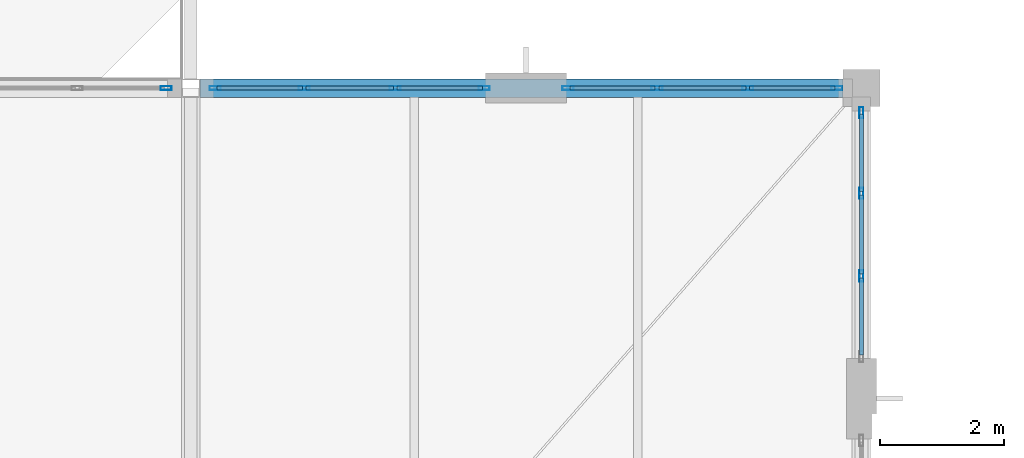
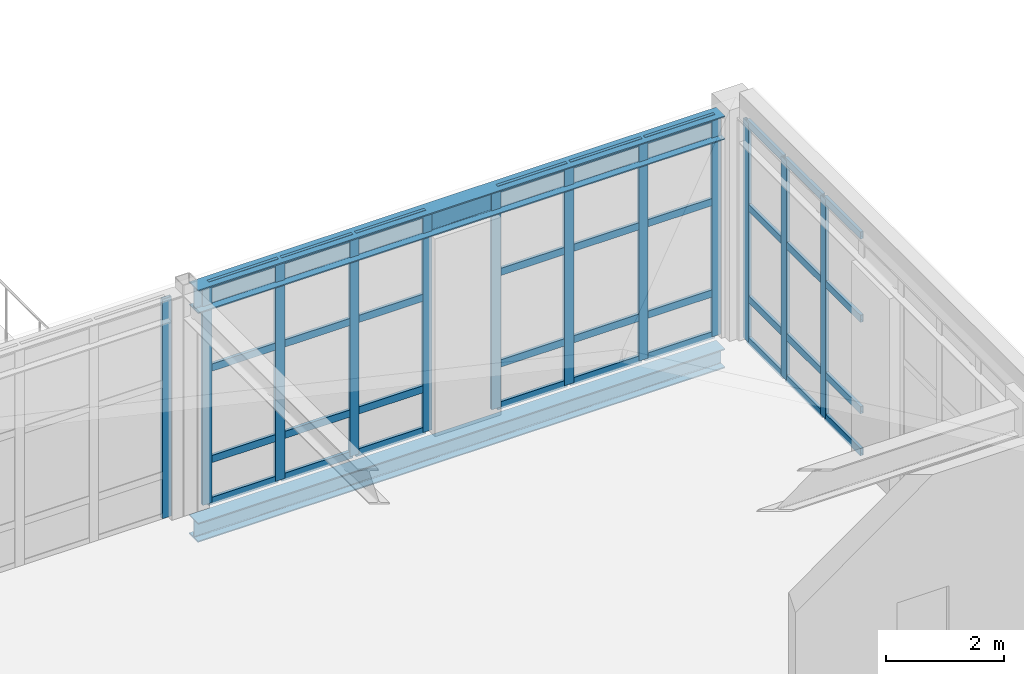
# One storey, part 44 of 86: 48 members, 2 beams, 4 elements without a shape of their own.
"""IFC4 building model written with IfcOpenShell, lengths in metres."""

from ifc_helpers import new_model, si_unit, direction, frame, origin, origin_2d, place, context, subcontext, project, spatial, hollow_rectangle, i_section, extrude, material, layer, layer_set, material_profile, profile_set, type_object, element, aggregate, save


model = new_model("IFC4")

# Units and contexts
model_context = context("Model", 3, precision=1e-05, world=origin(), true_north=direction((0.0, 1.0)))
body_context = subcontext(model_context, "Body", "Model", "MODEL_VIEW")
ifc_project = project(units=[si_unit("LENGTHUNIT", "METRE"), si_unit("AREAUNIT", "SQUARE_METRE"), si_unit("VOLUMEUNIT", "CUBIC_METRE"), si_unit("PLANEANGLEUNIT", "RADIAN"), si_unit("MASSUNIT", "GRAM", prefix="KILO")], contexts=[model_context])

# Site, building, storey
site_placement = place(None, origin())
site = spatial("IfcSite", under=ifc_project, at=site_placement, CompositionType="ELEMENT")
building_placement = place(site_placement, origin())
building = spatial("IfcBuilding", under=site, at=building_placement, Name="Tasgan Crest Museum", CompositionType="ELEMENT")
storey_placement = place(building_placement, frame((0.0, 0.0, 24.0)))
storey = spatial("IfcBuildingStorey", under=building, at=storey_placement, Name="L04", CompositionType="ELEMENT", Elevation=24.0)

# Beams
ifc_material_1 = material(Name="Steel S355J2", Category="steel")
ifc_material_profile_1 = material_profile(ifc_material_1, i_section(OverallWidth=0.300048828125, OverallDepth=0.489990234375, WebThickness=0.011962890625, FlangeThickness=0.02294921875, FilletRadius=0.027099609375, at=origin_2d()), Name="HEA 500")
ifc_profile_set_1 = profile_set([ifc_material_profile_1], Name="Steel S355J2")
beam_type_1 = type_object("IfcBeamType", Name="BM-G-HEA500", PredefinedType="BEAM", material=ifc_profile_set_1)
beam_1_placement = place(storey_placement, frame((97.345947265625, 82.0, 4.35498046875), z_axis=(1.0, 0.0, 0.0), x_axis=(0.0, 1.0, 0.0)))
element("IfcBeam", 1, at=beam_1_placement, inside=storey, type_object=beam_type_1, Name="Winter-garden roof girder J 97.2-108.0", PredefinedType="BEAM", context=body_context, shape_type="SweptSolid", body=[
    extrude(i_section(OverallWidth=0.300048828125, OverallDepth=0.489990234375, WebThickness=0.011962890625, FlangeThickness=0.02294921875, FilletRadius=0.027099609375, at=origin_2d()), origin(), (0.0, 0.0, 1.0), 10.358154296875),
])
ifc_material_2 = material(Name="Steel S355J2", Category="steel")
ifc_material_profile_2 = material_profile(ifc_material_2, i_section(OverallWidth=0.300048828125, OverallDepth=0.39990234375, WebThickness=0.013427734375, FlangeThickness=0.02392578125, FilletRadius=0.027099609375, at=origin_2d()), Name="HEB 400")
ifc_profile_set_2 = profile_set([ifc_material_profile_2], Name="Steel S355J2")
beam_type_2 = type_object("IfcBeamType", Name="BM-G-HEB400", PredefinedType="BEAM", material=ifc_profile_set_2)
beam_2_placement = place(storey_placement, frame((97.345947265625, 82.0, -0.43994140625), z_axis=(1.0, 0.0, 0.0), x_axis=(0.0, 1.0, 0.0)))
element("IfcBeam", 2, at=beam_2_placement, inside=storey, type_object=beam_type_2, Name="Girder L04 J 97.2-108.0", PredefinedType="BEAM", context=body_context, shape_type="SweptSolid", body=[
    extrude(i_section(OverallWidth=0.300048828125, OverallDepth=0.39990234375, WebThickness=0.013427734375, FlangeThickness=0.02392578125, FilletRadius=0.027099609375, at=origin_2d()), origin(), (0.0, 0.0, 1.0), 10.358154296875),
])

# Curtain wall, members
ifc_material_3 = material(Name="Triple-Glazed Aluminium Curtain Wall", Category="aluminium")
ifc_layer_1 = layer(ifc_material_3, 0.179931640625, Name="CW-DRUM-X-48")
ifc_layer_set_1 = layer_set([ifc_layer_1], Name="Triple-Glazed Aluminium Curtain Wall")
curtain_wall_type_1 = type_object("IfcCurtainWallType", Name="CW-DRUM-X-48", PredefinedType="NOTDEFINED", material=ifc_layer_set_1)
curtain_wall_1_placement = place(storey_placement, origin())
curtain_wall_1 = element("IfcCurtainWall", 3, at=curtain_wall_1_placement, inside=storey, type_object=curtain_wall_type_1, Name="Curtain wall L04 155", PredefinedType="NOTDEFINED")
ifc_material_4 = material(Name="Anodised Aluminium", Category="aluminium")
ifc_material_profile_3 = material_profile(ifc_material_4, hollow_rectangle(XDim=0.06494140625, YDim=0.179931640625, WallThickness=0.0048828125, at=origin_2d()), Name="ALU MULLION 180x65x5")
ifc_profile_set_3 = profile_set([ifc_material_profile_3], Name="Anodised Aluminium")
member_type_1 = type_object("IfcMemberType", Name="CW-MULLION-180", PredefinedType="MULLION", material=ifc_profile_set_3)
member_1_placement = place(storey_placement, frame((107.60498046875, 82.0, 0.0), z_axis=(0.0, 0.0, 1.0), x_axis=(0.0, -1.0, 0.0)))
member_1 = element("IfcMember", 4, at=member_1_placement, type_object=member_type_1, Name="CW03 mullion 1", PredefinedType="MULLION", context=body_context, shape_type="SweptSolid", body=[
    extrude(hollow_rectangle(XDim=0.06494140625, YDim=0.179931640625, WallThickness=0.0048828125, at=origin_2d()), origin(), (0.0, 0.0, 1.0), 4.56005859375),
])
member_2_placement = place(storey_placement, frame((106.171630859375, 82.0, 0.0), z_axis=(0.0, 0.0, 1.0), x_axis=(0.0, -1.0, 0.0)))
member_2 = element("IfcMember", 5, at=member_2_placement, type_object=member_type_1, Name="CW03 mullion 2", PredefinedType="MULLION", context=body_context, shape_type="SweptSolid", body=[
    extrude(hollow_rectangle(XDim=0.06494140625, YDim=0.179931640625, WallThickness=0.0048828125, at=origin_2d()), origin(), (0.0, 0.0, 1.0), 4.56005859375),
])
member_3_placement = place(storey_placement, frame((104.708251953125, 82.0, 0.0), z_axis=(0.0, 0.0, 1.0), x_axis=(0.0, -1.0, 0.0)))
member_3 = element("IfcMember", 6, at=member_3_placement, type_object=member_type_1, Name="CW03 mullion 3", PredefinedType="MULLION", context=body_context, shape_type="SweptSolid", body=[
    extrude(hollow_rectangle(XDim=0.06494140625, YDim=0.179931640625, WallThickness=0.0048828125, at=origin_2d()), origin(), (0.0, 0.0, 1.0), 4.56005859375),
])
member_4_placement = place(storey_placement, frame((103.27490234375, 82.0, 0.0), z_axis=(0.0, 0.0, 1.0), x_axis=(0.0, -1.0, 0.0)))
member_4 = element("IfcMember", 7, at=member_4_placement, type_object=member_type_1, Name="CW03 mullion 4", PredefinedType="MULLION", context=body_context, shape_type="SweptSolid", body=[
    extrude(hollow_rectangle(XDim=0.06494140625, YDim=0.179931640625, WallThickness=0.0048828125, at=origin_2d()), origin(), (0.0, 0.0, 1.0), 4.56005859375),
])

curtain_wall_2_placement = place(storey_placement, origin())
curtain_wall_2 = element("IfcCurtainWall", 8, at=curtain_wall_2_placement, inside=storey, type_object=curtain_wall_type_1, Name="Curtain wall L04 156", PredefinedType="NOTDEFINED")
member_5_placement = place(storey_placement, frame((101.925048828125, 82.0, 0.0), z_axis=(0.0, 0.0, 1.0), x_axis=(0.0, -1.0, 0.0)))
member_5 = element("IfcMember", 9, at=member_5_placement, type_object=member_type_1, Name="CW03 mullion 1", PredefinedType="MULLION", context=body_context, shape_type="SweptSolid", body=[
    extrude(hollow_rectangle(XDim=0.06494140625, YDim=0.179931640625, WallThickness=0.0048828125, at=origin_2d()), origin(), (0.0, 0.0, 1.0), 4.56005859375),
])
member_6_placement = place(storey_placement, frame((100.49169921875, 82.0, 0.0), z_axis=(0.0, 0.0, 1.0), x_axis=(0.0, -1.0, 0.0)))
member_6 = element("IfcMember", 10, at=member_6_placement, type_object=member_type_1, Name="CW03 mullion 2", PredefinedType="MULLION", context=body_context, shape_type="SweptSolid", body=[
    extrude(hollow_rectangle(XDim=0.06494140625, YDim=0.179931640625, WallThickness=0.0048828125, at=origin_2d()), origin(), (0.0, 0.0, 1.0), 4.56005859375),
])
member_7_placement = place(storey_placement, frame((99.0283203125, 82.0, 0.0), z_axis=(0.0, 0.0, 1.0), x_axis=(0.0, -1.0, 0.0)))
member_7 = element("IfcMember", 11, at=member_7_placement, type_object=member_type_1, Name="CW03 mullion 3", PredefinedType="MULLION", context=body_context, shape_type="SweptSolid", body=[
    extrude(hollow_rectangle(XDim=0.06494140625, YDim=0.179931640625, WallThickness=0.0048828125, at=origin_2d()), origin(), (0.0, 0.0, 1.0), 4.56005859375),
])
member_8_placement = place(storey_placement, frame((97.594970703125, 82.0, 0.0), z_axis=(0.0, 0.0, 1.0), x_axis=(0.0, -1.0, 0.0)))
member_8 = element("IfcMember", 12, at=member_8_placement, type_object=member_type_1, Name="CW03 mullion 4", PredefinedType="MULLION", context=body_context, shape_type="SweptSolid", body=[
    extrude(hollow_rectangle(XDim=0.06494140625, YDim=0.179931640625, WallThickness=0.0048828125, at=origin_2d()), origin(), (0.0, 0.0, 1.0), 4.56005859375),
])

# Curtain wall, member
curtain_wall_3_placement = place(storey_placement, origin())
curtain_wall_3 = element("IfcCurtainWall", 13, at=curtain_wall_3_placement, inside=storey, type_object=curtain_wall_type_1, Name="Curtain wall L04 157", PredefinedType="NOTDEFINED")
member_9_placement = place(storey_placement, frame((96.804931640625, 82.0, 0.0), z_axis=(0.0, 0.0, 1.0), x_axis=(0.0, -1.0, 0.0)))
member_9 = element("IfcMember", 14, at=member_9_placement, type_object=member_type_1, Name="CW03 mullion 1", PredefinedType="MULLION", context=body_context, shape_type="SweptSolid", body=[
    extrude(hollow_rectangle(XDim=0.06494140625, YDim=0.179931640625, WallThickness=0.0048828125, at=origin_2d()), origin(), (0.0, 0.0, 1.0), 4.56005859375),
])
aggregate(curtain_wall_3, [member_9])

# Curtain wall, members
ifc_material_5 = material(Name="Triple-Glazed Aluminium Curtain Wall", Category="aluminium")
ifc_layer_2 = layer(ifc_material_5, 0.179931640625, Name="CW-DRUM-Y10-48")
ifc_layer_set_2 = layer_set([ifc_layer_2], Name="Triple-Glazed Aluminium Curtain Wall")
curtain_wall_type_2 = type_object("IfcCurtainWallType", Name="CW-DRUM-Y10-48", PredefinedType="NOTDEFINED", material=ifc_layer_set_2)
curtain_wall_4_placement = place(storey_placement, origin())
curtain_wall_4 = element("IfcCurtainWall", 15, at=curtain_wall_4_placement, inside=storey, type_object=curtain_wall_type_2, Name="Curtain wall L04 200", PredefinedType="NOTDEFINED")
member_10_placement = place(storey_placement, frame((108.0, 78.97509765625, 0.0), z_axis=(0.0, 0.0, 1.0), x_axis=(-1.0, 0.0, 0.0)))
member_10 = element("IfcMember", 16, at=member_10_placement, type_object=member_type_1, Name="CW04 mullion 2", PredefinedType="MULLION", context=body_context, shape_type="SweptSolid", body=[
    extrude(hollow_rectangle(XDim=0.06494140625, YDim=0.179931640625, WallThickness=0.0048828125, at=origin_2d()), origin(), (0.0, 0.0, 1.0), 4.56005859375),
])
member_11_placement = place(storey_placement, frame((108.0, 80.304931640625, 0.0), z_axis=(0.0, 0.0, 1.0), x_axis=(-1.0, 0.0, 0.0)))
member_11 = element("IfcMember", 17, at=member_11_placement, type_object=member_type_1, Name="CW04 mullion 3", PredefinedType="MULLION", context=body_context, shape_type="SweptSolid", body=[
    extrude(hollow_rectangle(XDim=0.06494140625, YDim=0.179931640625, WallThickness=0.0048828125, at=origin_2d()), origin(), (0.0, 0.0, 1.0), 4.56005859375),
])
member_12_placement = place(storey_placement, frame((108.0, 81.60498046875, 0.0), z_axis=(0.0, 0.0, 1.0), x_axis=(-1.0, 0.0, 0.0)))
member_12 = element("IfcMember", 18, at=member_12_placement, type_object=member_type_1, Name="CW04 mullion 4", PredefinedType="MULLION", context=body_context, shape_type="SweptSolid", body=[
    extrude(hollow_rectangle(XDim=0.06494140625, YDim=0.179931640625, WallThickness=0.0048828125, at=origin_2d()), origin(), (0.0, 0.0, 1.0), 4.56005859375),
])

# Member
ifc_material_6 = material(Name="Anodised Aluminium", Category="aluminium")
ifc_material_profile_4 = material_profile(ifc_material_6, hollow_rectangle(XDim=0.06005859375, YDim=0.14990234375, WallThickness=0.0048828125, at=origin_2d()), Name="ALU TRANSOM 150x60x5")
ifc_profile_set_4 = profile_set([ifc_material_profile_4], Name="Anodised Aluminium")
member_type_2 = type_object("IfcMemberType", Name="CW-TRANSOM-150", PredefinedType="USERDEFINED", material=ifc_profile_set_4)
member_13_placement = place(storey_placement, frame((107.574951171875, 82.0, 0.030029296875), z_axis=(-1.0, 0.0, 0.0), x_axis=(0.0, -1.0, 0.0)))
member_13 = element("IfcMember", 19, at=member_13_placement, type_object=member_type_2, Name="CW03 transom 1.1", ObjectType="TRANSOM", PredefinedType="USERDEFINED", context=body_context, shape_type="SweptSolid", body=[
    extrude(hollow_rectangle(XDim=0.06005859375, YDim=0.14990234375, WallThickness=0.0048828125, at=origin_2d()), origin(), (0.0, 0.0, 1.0), 1.373291015625),
])

member_14_placement = place(storey_placement, frame((107.574951171875, 82.0, 0.89990234375), z_axis=(-1.0, 0.0, 0.0), x_axis=(0.0, -1.0, 0.0)))
member_14 = element("IfcMember", 20, at=member_14_placement, type_object=member_type_2, Name="CW03 transom 1.2", ObjectType="TRANSOM", PredefinedType="USERDEFINED", context=body_context, shape_type="SweptSolid", body=[
    extrude(hollow_rectangle(XDim=0.06005859375, YDim=0.14990234375, WallThickness=0.0048828125, at=origin_2d()), origin(), (0.0, 0.0, 1.0), 1.373291015625),
])

member_15_placement = place(storey_placement, frame((107.574951171875, 82.0, 2.800048828125), z_axis=(-1.0, 0.0, 0.0), x_axis=(0.0, -1.0, 0.0)))
member_15 = element("IfcMember", 21, at=member_15_placement, type_object=member_type_2, Name="CW03 transom 1.3", ObjectType="TRANSOM", PredefinedType="USERDEFINED", context=body_context, shape_type="SweptSolid", body=[
    extrude(hollow_rectangle(XDim=0.06005859375, YDim=0.14990234375, WallThickness=0.0048828125, at=origin_2d()), origin(), (0.0, 0.0, 1.0), 1.373291015625),
])

member_16_placement = place(storey_placement, frame((107.574951171875, 82.0, 4.530029296875), z_axis=(-1.0, 0.0, 0.0), x_axis=(0.0, -1.0, 0.0)))
member_16 = element("IfcMember", 22, at=member_16_placement, type_object=member_type_2, Name="CW03 transom 1.4", ObjectType="TRANSOM", PredefinedType="USERDEFINED", context=body_context, shape_type="SweptSolid", body=[
    extrude(hollow_rectangle(XDim=0.06005859375, YDim=0.14990234375, WallThickness=0.0048828125, at=origin_2d()), origin(), (0.0, 0.0, 1.0), 1.373291015625),
])

member_17_placement = place(storey_placement, frame((106.1416015625, 82.0, 0.030029296875), z_axis=(-1.0, 0.0, 0.0), x_axis=(0.0, -1.0, 0.0)))
member_17 = element("IfcMember", 23, at=member_17_placement, type_object=member_type_2, Name="CW03 transom 2.1", ObjectType="TRANSOM", PredefinedType="USERDEFINED", context=body_context, shape_type="SweptSolid", body=[
    extrude(hollow_rectangle(XDim=0.06005859375, YDim=0.14990234375, WallThickness=0.0048828125, at=origin_2d()), origin(), (0.0, 0.0, 1.0), 1.4033203125),
])

member_18_placement = place(storey_placement, frame((106.1416015625, 82.0, 0.89990234375), z_axis=(-1.0, 0.0, 0.0), x_axis=(0.0, -1.0, 0.0)))
member_18 = element("IfcMember", 24, at=member_18_placement, type_object=member_type_2, Name="CW03 transom 2.2", ObjectType="TRANSOM", PredefinedType="USERDEFINED", context=body_context, shape_type="SweptSolid", body=[
    extrude(hollow_rectangle(XDim=0.06005859375, YDim=0.14990234375, WallThickness=0.0048828125, at=origin_2d()), origin(), (0.0, 0.0, 1.0), 1.4033203125),
])

member_19_placement = place(storey_placement, frame((106.1416015625, 82.0, 2.800048828125), z_axis=(-1.0, 0.0, 0.0), x_axis=(0.0, -1.0, 0.0)))
member_19 = element("IfcMember", 25, at=member_19_placement, type_object=member_type_2, Name="CW03 transom 2.3", ObjectType="TRANSOM", PredefinedType="USERDEFINED", context=body_context, shape_type="SweptSolid", body=[
    extrude(hollow_rectangle(XDim=0.06005859375, YDim=0.14990234375, WallThickness=0.0048828125, at=origin_2d()), origin(), (0.0, 0.0, 1.0), 1.4033203125),
])

member_20_placement = place(storey_placement, frame((106.1416015625, 82.0, 4.530029296875), z_axis=(-1.0, 0.0, 0.0), x_axis=(0.0, -1.0, 0.0)))
member_20 = element("IfcMember", 26, at=member_20_placement, type_object=member_type_2, Name="CW03 transom 2.4", ObjectType="TRANSOM", PredefinedType="USERDEFINED", context=body_context, shape_type="SweptSolid", body=[
    extrude(hollow_rectangle(XDim=0.06005859375, YDim=0.14990234375, WallThickness=0.0048828125, at=origin_2d()), origin(), (0.0, 0.0, 1.0), 1.4033203125),
])

member_21_placement = place(storey_placement, frame((104.67822265625, 82.0, 0.030029296875), z_axis=(-1.0, 0.0, 0.0), x_axis=(0.0, -1.0, 0.0)))
member_21 = element("IfcMember", 27, at=member_21_placement, type_object=member_type_2, Name="CW03 transom 3.1", ObjectType="TRANSOM", PredefinedType="USERDEFINED", context=body_context, shape_type="SweptSolid", body=[
    extrude(hollow_rectangle(XDim=0.06005859375, YDim=0.14990234375, WallThickness=0.0048828125, at=origin_2d()), origin(), (0.0, 0.0, 1.0), 1.373291015625),
])

member_22_placement = place(storey_placement, frame((104.67822265625, 82.0, 0.89990234375), z_axis=(-1.0, 0.0, 0.0), x_axis=(0.0, -1.0, 0.0)))
member_22 = element("IfcMember", 28, at=member_22_placement, type_object=member_type_2, Name="CW03 transom 3.2", ObjectType="TRANSOM", PredefinedType="USERDEFINED", context=body_context, shape_type="SweptSolid", body=[
    extrude(hollow_rectangle(XDim=0.06005859375, YDim=0.14990234375, WallThickness=0.0048828125, at=origin_2d()), origin(), (0.0, 0.0, 1.0), 1.373291015625),
])

member_23_placement = place(storey_placement, frame((104.67822265625, 82.0, 2.800048828125), z_axis=(-1.0, 0.0, 0.0), x_axis=(0.0, -1.0, 0.0)))
member_23 = element("IfcMember", 29, at=member_23_placement, type_object=member_type_2, Name="CW03 transom 3.3", ObjectType="TRANSOM", PredefinedType="USERDEFINED", context=body_context, shape_type="SweptSolid", body=[
    extrude(hollow_rectangle(XDim=0.06005859375, YDim=0.14990234375, WallThickness=0.0048828125, at=origin_2d()), origin(), (0.0, 0.0, 1.0), 1.373291015625),
])

member_24_placement = place(storey_placement, frame((104.67822265625, 82.0, 4.530029296875), z_axis=(-1.0, 0.0, 0.0), x_axis=(0.0, -1.0, 0.0)))
member_24 = element("IfcMember", 30, at=member_24_placement, type_object=member_type_2, Name="CW03 transom 3.4", ObjectType="TRANSOM", PredefinedType="USERDEFINED", context=body_context, shape_type="SweptSolid", body=[
    extrude(hollow_rectangle(XDim=0.06005859375, YDim=0.14990234375, WallThickness=0.0048828125, at=origin_2d()), origin(), (0.0, 0.0, 1.0), 1.373291015625),
])

aggregate(curtain_wall_1, [member_1, member_2, member_3, member_4, member_13, member_14, member_15, member_16, member_17, member_18, member_19, member_20, member_21, member_22, member_23, member_24])

member_25_placement = place(storey_placement, frame((101.89501953125, 82.0, 0.030029296875), z_axis=(-1.0, 0.0, 0.0), x_axis=(0.0, -1.0, 0.0)))
member_25 = element("IfcMember", 31, at=member_25_placement, type_object=member_type_2, Name="CW03 transom 1.1", ObjectType="TRANSOM", PredefinedType="USERDEFINED", context=body_context, shape_type="SweptSolid", body=[
    extrude(hollow_rectangle(XDim=0.06005859375, YDim=0.14990234375, WallThickness=0.0048828125, at=origin_2d()), origin(), (0.0, 0.0, 1.0), 1.373291015625),
])

member_26_placement = place(storey_placement, frame((101.89501953125, 82.0, 0.89990234375), z_axis=(-1.0, 0.0, 0.0), x_axis=(0.0, -1.0, 0.0)))
member_26 = element("IfcMember", 32, at=member_26_placement, type_object=member_type_2, Name="CW03 transom 1.2", ObjectType="TRANSOM", PredefinedType="USERDEFINED", context=body_context, shape_type="SweptSolid", body=[
    extrude(hollow_rectangle(XDim=0.06005859375, YDim=0.14990234375, WallThickness=0.0048828125, at=origin_2d()), origin(), (0.0, 0.0, 1.0), 1.373291015625),
])

member_27_placement = place(storey_placement, frame((101.89501953125, 82.0, 2.800048828125), z_axis=(-1.0, 0.0, 0.0), x_axis=(0.0, -1.0, 0.0)))
member_27 = element("IfcMember", 33, at=member_27_placement, type_object=member_type_2, Name="CW03 transom 1.3", ObjectType="TRANSOM", PredefinedType="USERDEFINED", context=body_context, shape_type="SweptSolid", body=[
    extrude(hollow_rectangle(XDim=0.06005859375, YDim=0.14990234375, WallThickness=0.0048828125, at=origin_2d()), origin(), (0.0, 0.0, 1.0), 1.373291015625),
])

member_28_placement = place(storey_placement, frame((101.89501953125, 82.0, 4.530029296875), z_axis=(-1.0, 0.0, 0.0), x_axis=(0.0, -1.0, 0.0)))
member_28 = element("IfcMember", 34, at=member_28_placement, type_object=member_type_2, Name="CW03 transom 1.4", ObjectType="TRANSOM", PredefinedType="USERDEFINED", context=body_context, shape_type="SweptSolid", body=[
    extrude(hollow_rectangle(XDim=0.06005859375, YDim=0.14990234375, WallThickness=0.0048828125, at=origin_2d()), origin(), (0.0, 0.0, 1.0), 1.373291015625),
])

member_29_placement = place(storey_placement, frame((100.461669921875, 82.0, 0.030029296875), z_axis=(-1.0, 0.0, 0.0), x_axis=(0.0, -1.0, 0.0)))
member_29 = element("IfcMember", 35, at=member_29_placement, type_object=member_type_2, Name="CW03 transom 2.1", ObjectType="TRANSOM", PredefinedType="USERDEFINED", context=body_context, shape_type="SweptSolid", body=[
    extrude(hollow_rectangle(XDim=0.06005859375, YDim=0.14990234375, WallThickness=0.0048828125, at=origin_2d()), origin(), (0.0, 0.0, 1.0), 1.4033203125),
])

member_30_placement = place(storey_placement, frame((100.461669921875, 82.0, 0.89990234375), z_axis=(-1.0, 0.0, 0.0), x_axis=(0.0, -1.0, 0.0)))
member_30 = element("IfcMember", 36, at=member_30_placement, type_object=member_type_2, Name="CW03 transom 2.2", ObjectType="TRANSOM", PredefinedType="USERDEFINED", context=body_context, shape_type="SweptSolid", body=[
    extrude(hollow_rectangle(XDim=0.06005859375, YDim=0.14990234375, WallThickness=0.0048828125, at=origin_2d()), origin(), (0.0, 0.0, 1.0), 1.4033203125),
])

member_31_placement = place(storey_placement, frame((100.461669921875, 82.0, 2.800048828125), z_axis=(-1.0, 0.0, 0.0), x_axis=(0.0, -1.0, 0.0)))
member_31 = element("IfcMember", 37, at=member_31_placement, type_object=member_type_2, Name="CW03 transom 2.3", ObjectType="TRANSOM", PredefinedType="USERDEFINED", context=body_context, shape_type="SweptSolid", body=[
    extrude(hollow_rectangle(XDim=0.06005859375, YDim=0.14990234375, WallThickness=0.0048828125, at=origin_2d()), origin(), (0.0, 0.0, 1.0), 1.4033203125),
])

member_32_placement = place(storey_placement, frame((100.461669921875, 82.0, 4.530029296875), z_axis=(-1.0, 0.0, 0.0), x_axis=(0.0, -1.0, 0.0)))
member_32 = element("IfcMember", 38, at=member_32_placement, type_object=member_type_2, Name="CW03 transom 2.4", ObjectType="TRANSOM", PredefinedType="USERDEFINED", context=body_context, shape_type="SweptSolid", body=[
    extrude(hollow_rectangle(XDim=0.06005859375, YDim=0.14990234375, WallThickness=0.0048828125, at=origin_2d()), origin(), (0.0, 0.0, 1.0), 1.4033203125),
])

member_33_placement = place(storey_placement, frame((98.998291015625, 82.0, 0.030029296875), z_axis=(-1.0, 0.0, 0.0), x_axis=(0.0, -1.0, 0.0)))
member_33 = element("IfcMember", 39, at=member_33_placement, type_object=member_type_2, Name="CW03 transom 3.1", ObjectType="TRANSOM", PredefinedType="USERDEFINED", context=body_context, shape_type="SweptSolid", body=[
    extrude(hollow_rectangle(XDim=0.06005859375, YDim=0.14990234375, WallThickness=0.0048828125, at=origin_2d()), origin(), (0.0, 0.0, 1.0), 1.373291015625),
])

member_34_placement = place(storey_placement, frame((98.998291015625, 82.0, 0.89990234375), z_axis=(-1.0, 0.0, 0.0), x_axis=(0.0, -1.0, 0.0)))
member_34 = element("IfcMember", 40, at=member_34_placement, type_object=member_type_2, Name="CW03 transom 3.2", ObjectType="TRANSOM", PredefinedType="USERDEFINED", context=body_context, shape_type="SweptSolid", body=[
    extrude(hollow_rectangle(XDim=0.06005859375, YDim=0.14990234375, WallThickness=0.0048828125, at=origin_2d()), origin(), (0.0, 0.0, 1.0), 1.373291015625),
])

member_35_placement = place(storey_placement, frame((98.998291015625, 82.0, 2.800048828125), z_axis=(-1.0, 0.0, 0.0), x_axis=(0.0, -1.0, 0.0)))
member_35 = element("IfcMember", 41, at=member_35_placement, type_object=member_type_2, Name="CW03 transom 3.3", ObjectType="TRANSOM", PredefinedType="USERDEFINED", context=body_context, shape_type="SweptSolid", body=[
    extrude(hollow_rectangle(XDim=0.06005859375, YDim=0.14990234375, WallThickness=0.0048828125, at=origin_2d()), origin(), (0.0, 0.0, 1.0), 1.373291015625),
])

member_36_placement = place(storey_placement, frame((98.998291015625, 82.0, 4.530029296875), z_axis=(-1.0, 0.0, 0.0), x_axis=(0.0, -1.0, 0.0)))
member_36 = element("IfcMember", 42, at=member_36_placement, type_object=member_type_2, Name="CW03 transom 3.4", ObjectType="TRANSOM", PredefinedType="USERDEFINED", context=body_context, shape_type="SweptSolid", body=[
    extrude(hollow_rectangle(XDim=0.06005859375, YDim=0.14990234375, WallThickness=0.0048828125, at=origin_2d()), origin(), (0.0, 0.0, 1.0), 1.373291015625),
])

aggregate(curtain_wall_2, [member_5, member_6, member_7, member_8, member_25, member_26, member_27, member_28, member_29, member_30, member_31, member_32, member_33, member_34, member_35, member_36])

member_37_placement = place(storey_placement, frame((108.0, 77.705078125, 0.030029296875), z_axis=(0.0, 1.0, 0.0), x_axis=(-1.0, 0.0, 0.0)))
member_37 = element("IfcMember", 43, at=member_37_placement, type_object=member_type_2, Name="CW04 transom 1.1", ObjectType="TRANSOM", PredefinedType="USERDEFINED", context=body_context, shape_type="SweptSolid", body=[
    extrude(hollow_rectangle(XDim=0.06005859375, YDim=0.14990234375, WallThickness=0.0048828125, at=origin_2d()), origin(), (0.0, 0.0, 1.0), 1.239990234375),
])

member_38_placement = place(storey_placement, frame((108.0, 77.705078125, 0.89990234375), z_axis=(0.0, 1.0, 0.0), x_axis=(-1.0, 0.0, 0.0)))
member_38 = element("IfcMember", 44, at=member_38_placement, type_object=member_type_2, Name="CW04 transom 1.2", ObjectType="TRANSOM", PredefinedType="USERDEFINED", context=body_context, shape_type="SweptSolid", body=[
    extrude(hollow_rectangle(XDim=0.06005859375, YDim=0.14990234375, WallThickness=0.0048828125, at=origin_2d()), origin(), (0.0, 0.0, 1.0), 1.239990234375),
])

member_39_placement = place(storey_placement, frame((108.0, 77.705078125, 2.800048828125), z_axis=(0.0, 1.0, 0.0), x_axis=(-1.0, 0.0, 0.0)))
member_39 = element("IfcMember", 45, at=member_39_placement, type_object=member_type_2, Name="CW04 transom 1.3", ObjectType="TRANSOM", PredefinedType="USERDEFINED", context=body_context, shape_type="SweptSolid", body=[
    extrude(hollow_rectangle(XDim=0.06005859375, YDim=0.14990234375, WallThickness=0.0048828125, at=origin_2d()), origin(), (0.0, 0.0, 1.0), 1.239990234375),
])

member_40_placement = place(storey_placement, frame((108.0, 77.705078125, 4.530029296875), z_axis=(0.0, 1.0, 0.0), x_axis=(-1.0, 0.0, 0.0)))
member_40 = element("IfcMember", 46, at=member_40_placement, type_object=member_type_2, Name="CW04 transom 1.4", ObjectType="TRANSOM", PredefinedType="USERDEFINED", context=body_context, shape_type="SweptSolid", body=[
    extrude(hollow_rectangle(XDim=0.06005859375, YDim=0.14990234375, WallThickness=0.0048828125, at=origin_2d()), origin(), (0.0, 0.0, 1.0), 1.239990234375),
])

member_41_placement = place(storey_placement, frame((108.0, 79.0048828125, 0.030029296875), z_axis=(0.0, 1.0, 0.0), x_axis=(-1.0, 0.0, 0.0)))
member_41 = element("IfcMember", 47, at=member_41_placement, type_object=member_type_2, Name="CW04 transom 2.1", ObjectType="TRANSOM", PredefinedType="USERDEFINED", context=body_context, shape_type="SweptSolid", body=[
    extrude(hollow_rectangle(XDim=0.06005859375, YDim=0.14990234375, WallThickness=0.0048828125, at=origin_2d()), origin(), (0.0, 0.0, 1.0), 1.27001953125),
])

member_42_placement = place(storey_placement, frame((108.0, 79.0048828125, 0.89990234375), z_axis=(0.0, 1.0, 0.0), x_axis=(-1.0, 0.0, 0.0)))
member_42 = element("IfcMember", 48, at=member_42_placement, type_object=member_type_2, Name="CW04 transom 2.2", ObjectType="TRANSOM", PredefinedType="USERDEFINED", context=body_context, shape_type="SweptSolid", body=[
    extrude(hollow_rectangle(XDim=0.06005859375, YDim=0.14990234375, WallThickness=0.0048828125, at=origin_2d()), origin(), (0.0, 0.0, 1.0), 1.27001953125),
])

member_43_placement = place(storey_placement, frame((108.0, 79.0048828125, 2.800048828125), z_axis=(0.0, 1.0, 0.0), x_axis=(-1.0, 0.0, 0.0)))
member_43 = element("IfcMember", 49, at=member_43_placement, type_object=member_type_2, Name="CW04 transom 2.3", ObjectType="TRANSOM", PredefinedType="USERDEFINED", context=body_context, shape_type="SweptSolid", body=[
    extrude(hollow_rectangle(XDim=0.06005859375, YDim=0.14990234375, WallThickness=0.0048828125, at=origin_2d()), origin(), (0.0, 0.0, 1.0), 1.27001953125),
])

member_44_placement = place(storey_placement, frame((108.0, 79.0048828125, 4.530029296875), z_axis=(0.0, 1.0, 0.0), x_axis=(-1.0, 0.0, 0.0)))
member_44 = element("IfcMember", 50, at=member_44_placement, type_object=member_type_2, Name="CW04 transom 2.4", ObjectType="TRANSOM", PredefinedType="USERDEFINED", context=body_context, shape_type="SweptSolid", body=[
    extrude(hollow_rectangle(XDim=0.06005859375, YDim=0.14990234375, WallThickness=0.0048828125, at=origin_2d()), origin(), (0.0, 0.0, 1.0), 1.27001953125),
])

member_45_placement = place(storey_placement, frame((108.0, 80.3349609375, 0.030029296875), z_axis=(0.0, 1.0, 0.0), x_axis=(-1.0, 0.0, 0.0)))
member_45 = element("IfcMember", 51, at=member_45_placement, type_object=member_type_2, Name="CW04 transom 3.1", ObjectType="TRANSOM", PredefinedType="USERDEFINED", context=body_context, shape_type="SweptSolid", body=[
    extrude(hollow_rectangle(XDim=0.06005859375, YDim=0.14990234375, WallThickness=0.0048828125, at=origin_2d()), origin(), (0.0, 0.0, 1.0), 1.239990234375),
])

member_46_placement = place(storey_placement, frame((108.0, 80.3349609375, 0.89990234375), z_axis=(0.0, 1.0, 0.0), x_axis=(-1.0, 0.0, 0.0)))
member_46 = element("IfcMember", 52, at=member_46_placement, type_object=member_type_2, Name="CW04 transom 3.2", ObjectType="TRANSOM", PredefinedType="USERDEFINED", context=body_context, shape_type="SweptSolid", body=[
    extrude(hollow_rectangle(XDim=0.06005859375, YDim=0.14990234375, WallThickness=0.0048828125, at=origin_2d()), origin(), (0.0, 0.0, 1.0), 1.239990234375),
])

member_47_placement = place(storey_placement, frame((108.0, 80.3349609375, 2.800048828125), z_axis=(0.0, 1.0, 0.0), x_axis=(-1.0, 0.0, 0.0)))
member_47 = element("IfcMember", 53, at=member_47_placement, type_object=member_type_2, Name="CW04 transom 3.3", ObjectType="TRANSOM", PredefinedType="USERDEFINED", context=body_context, shape_type="SweptSolid", body=[
    extrude(hollow_rectangle(XDim=0.06005859375, YDim=0.14990234375, WallThickness=0.0048828125, at=origin_2d()), origin(), (0.0, 0.0, 1.0), 1.239990234375),
])

member_48_placement = place(storey_placement, frame((108.0, 80.3349609375, 4.530029296875), z_axis=(0.0, 1.0, 0.0), x_axis=(-1.0, 0.0, 0.0)))
member_48 = element("IfcMember", 54, at=member_48_placement, type_object=member_type_2, Name="CW04 transom 3.4", ObjectType="TRANSOM", PredefinedType="USERDEFINED", context=body_context, shape_type="SweptSolid", body=[
    extrude(hollow_rectangle(XDim=0.06005859375, YDim=0.14990234375, WallThickness=0.0048828125, at=origin_2d()), origin(), (0.0, 0.0, 1.0), 1.239990234375),
])

aggregate(curtain_wall_4, [member_10, member_11, member_12, member_37, member_38, member_39, member_40, member_41, member_42, member_43, member_44, member_45, member_46, member_47, member_48])

save(model, "model.ifc")
